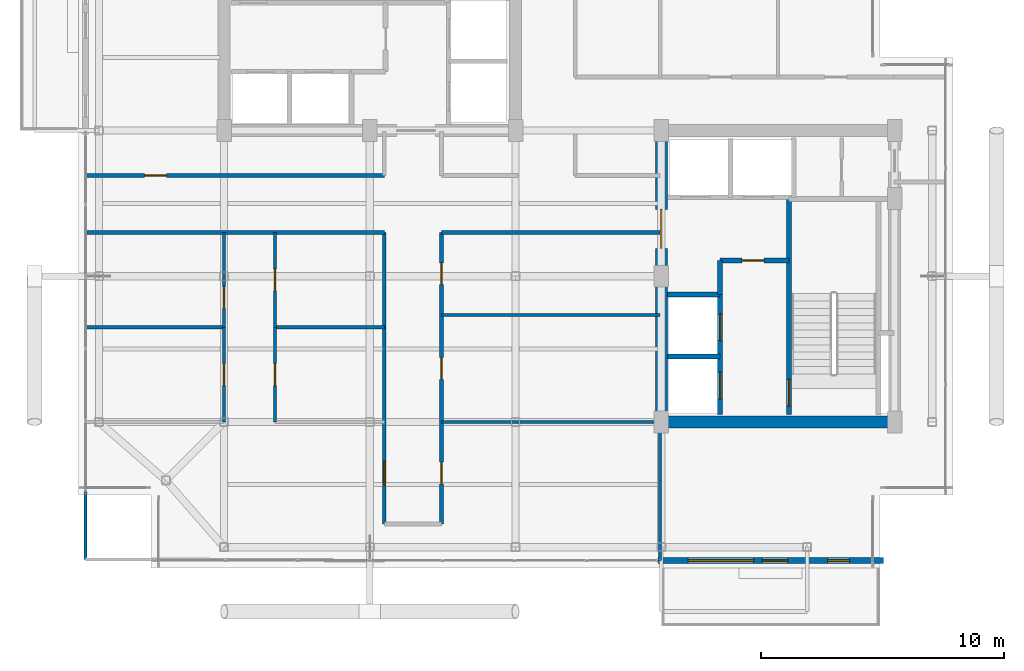
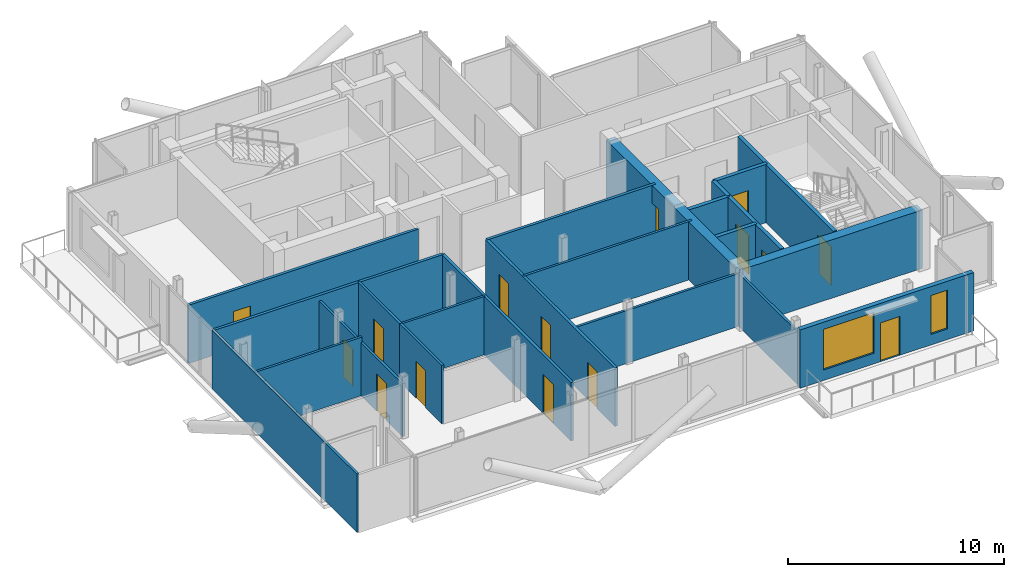
# One storey, part 14 of 18: 24 walls, 15 doors, 2 windows, 17 openings.
"""IFC4 building model written with IfcOpenShell, lengths in metres."""

from ifc_helpers import new_model, si_unit, direction, frame, frame_2d, origin, place, context, subcontext, project, spatial, rectangle, extrude, material, layer, layer_set, type_object, element, fill, save


model = new_model("IFC4")

# Units and contexts
model_context = context("Model", 3, precision=1e-05, world=origin(), true_north=direction((0.0, 1.0)))
body_context = subcontext(model_context, "Body", "Model", "MODEL_VIEW")
ifc_project = project(units=[si_unit("LENGTHUNIT", "METRE"), si_unit("AREAUNIT", "SQUARE_METRE"), si_unit("VOLUMEUNIT", "CUBIC_METRE"), si_unit("PLANEANGLEUNIT", "RADIAN"), si_unit("MASSUNIT", "GRAM", prefix="KILO"), si_unit("THERMODYNAMICTEMPERATUREUNIT", "KELVIN"), si_unit("POWERUNIT", "WATT")], contexts=[model_context])

# Site, building, storey
site_placement = place(None, origin())
site = spatial("IfcSite", under=ifc_project, at=site_placement, CompositionType="ELEMENT")
building_placement = place(site_placement, origin())
building = spatial("IfcBuilding", under=site, at=building_placement, Name="Svarakhadi Broadcast Tower", CompositionType="ELEMENT")
storey_placement = place(building_placement, frame((0.0, 0.0, 260.699951171875)))
storey = spatial("IfcBuildingStorey", under=building, at=storey_placement, Name="L65", CompositionType="ELEMENT", Elevation=260.699951171875)

# Wall, openings, door, windows
ifc_material_1 = material(Name="Concrete C40/50 (IS 456 M50)", Category="concrete")
ifc_layer_1 = layer(ifc_material_1, 0.239990234375)
ifc_layer_set_1 = layer_set([ifc_layer_1], Name="Concrete C40/50 (IS 456 M50)")
wall_type_1 = type_object("IfcWallType", Name="Wall_Ext_240", PredefinedType="SOLIDWALL", material=ifc_layer_set_1)
wall_1_placement = place(storey_placement, frame((33.14501953125, 0.300048828125, 0.0), z_axis=(0.0, 0.0, 1.0), x_axis=(-1.0, 0.0, 0.0)))
wall_1 = element("IfcWall", 1, at=wall_1_placement, inside=storey, type_object=wall_type_1, Name="L65 South Tree Balcony Spandrel Wall", PredefinedType="SOLIDWALL", context=body_context, shape_type="SweptSolid", body=[
    extrude(rectangle(XDim=9.2900390625, YDim=0.239990234375, at=frame_2d((4.64501953125, 0.0))), origin(), (0.0, 0.0, 1.0), 3.300048828125),
])
opening_1_placement = place(wall_1_placement, frame((3.945068359375, 0.0, 0.0)))
opening_1 = element("IfcOpeningElement", 2, at=opening_1_placement, cuts=wall_1, Name="Opening ED-05", PredefinedType="OPENING", context=body_context, shape_type="SweptSolid", body=[
    extrude(rectangle(XDim=1.050048828125, YDim=2.199951171875, at=frame_2d((0.52490234375, 1.10009765625))), frame((0.0, 0.1298828125, 0.0), z_axis=(0.0, -1.0, 0.0), x_axis=(1.0, 0.0, 0.0)), (0.0, 0.0, 1.0), 0.260009765625),
])
opening_2_placement = place(wall_1_placement, frame((5.344970703125, 0.0, 0.60009765625)))
opening_2 = element("IfcOpeningElement", 3, at=opening_2_placement, cuts=wall_1, Name="Opening WN-07", PredefinedType="OPENING", context=body_context, shape_type="SweptSolid", body=[
    extrude(rectangle(XDim=2.699951171875, YDim=2.300048828125, at=frame_2d((1.35009765625, 1.14990234375))), frame((0.0, 0.1298828125, 0.0), z_axis=(0.0, -1.0, 0.0), x_axis=(1.0, 0.0, 0.0)), (0.0, 0.0, 1.0), 0.260009765625),
])
opening_3_placement = place(wall_1_placement, frame((1.39990234375, 0.0, 0.60009765625)))
opening_3 = element("IfcOpeningElement", 4, at=opening_3_placement, cuts=wall_1, Name="Opening WN-04", PredefinedType="OPENING", context=body_context, shape_type="SweptSolid", body=[
    extrude(rectangle(XDim=0.89990234375, YDim=2.199951171875, at=frame_2d((0.449951171875, 1.10009765625))), frame((0.0, 0.1298828125, 0.0), z_axis=(0.0, -1.0, 0.0), x_axis=(1.0, 0.0, 0.0)), (0.0, 0.0, 1.0), 0.260009765625),
])
ifc_material_2 = material(Name="Anodised Bronze Aluminium AA 6063-T6", Category="aluminium")
door_type_1 = type_object("IfcDoorType", Name="Door_Ext_ED05", OperationType="SINGLE_SWING_LEFT", PredefinedType="DOOR", material=ifc_material_2)
door_1_placement = place(opening_1_placement, origin())
door_1 = element("IfcDoor", 5, at=door_1_placement, inside=storey, type_object=door_type_1, Name="L65 South Tree Balcony Door", OperationType="SINGLE_SWING_LEFT", OverallHeight=2.199951171875, OverallWidth=1.050048828125, PredefinedType="DOOR", context=body_context, shape_type="SweptSolid", body=[
    extrude(rectangle(XDim=1.050048828125, YDim=2.199951171875, at=frame_2d((0.52490234375, 1.10009765625))), frame((0.0, 0.02490234375, 0.0), z_axis=(0.0, -1.0, 0.0), x_axis=(1.0, 0.0, 0.0)), (0.0, 0.0, 1.0), 0.050048828125),
])
fill(opening_1, door_1)
ifc_material_3 = material(Name="Double Low-E Laminated Acoustic Glass IGU 36 mm", Category="glass")
window_type_1 = type_object("IfcWindowType", Name="Win_Resi_WN07", PartitioningType="SINGLE_PANEL", PredefinedType="WINDOW", material=ifc_material_3)
window_1_placement = place(opening_2_placement, origin())
window_1 = element("IfcWindow", 6, at=window_1_placement, inside=storey, type_object=window_type_1, Name="L65 South Tree Balcony Window", OverallHeight=2.300048828125, OverallWidth=2.699951171875, PartitioningType="SINGLE_PANEL", PredefinedType="WINDOW", context=body_context, shape_type="SweptSolid", body=[
    extrude(rectangle(XDim=2.699951171875, YDim=2.300048828125, at=frame_2d((1.35009765625, 1.14990234375))), frame((0.0, 0.030029296875, 0.0), z_axis=(0.0, -1.0, 0.0), x_axis=(1.0, 0.0, 0.0)), (0.0, 0.0, 1.0), 0.06005859375),
])
fill(opening_2, window_1)
window_type_2 = type_object("IfcWindowType", Name="Win_Slot_WN04", PartitioningType="SINGLE_PANEL", PredefinedType="WINDOW", material=ifc_material_3)
window_2_placement = place(opening_3_placement, origin())
window_2 = element("IfcWindow", 7, at=window_2_placement, inside=storey, type_object=window_type_2, Name="L65 South Primary Bedroom Slot Window", OverallHeight=2.199951171875, OverallWidth=0.89990234375, PartitioningType="SINGLE_PANEL", PredefinedType="WINDOW", context=body_context, shape_type="SweptSolid", body=[
    extrude(rectangle(XDim=0.89990234375, YDim=2.199951171875, at=frame_2d((0.449951171875, 1.10009765625))), frame((0.0, 0.030029296875, 0.0), z_axis=(0.0, -1.0, 0.0), x_axis=(1.0, 0.0, 0.0)), (0.0, 0.0, 1.0), 0.06005859375),
])
fill(opening_3, window_2)

# Walls
ifc_material_4 = material(Name="Fire-Rated Moisture-Resistant Gypsum Board Partition", Category="gypsum")
ifc_layer_2 = layer(ifc_material_4, 0.125)
ifc_layer_set_2 = layer_set([ifc_layer_2], Name="Fire-Rated Moisture-Resistant Gypsum Board Partition")
wall_type_2 = type_object("IfcWallType", Name="Wall_Part_125", PredefinedType="PARTITIONING", material=ifc_layer_set_2)
wall_2_placement = place(storey_placement, frame((0.300048828125, 0.35009765625, 0.0), z_axis=(0.0, 0.0, 1.0), x_axis=(0.0, 1.0, 0.0)))
element("IfcWall", 8, at=wall_2_placement, inside=storey, type_object=wall_type_2, Name="L65 Apartment A Wall", PredefinedType="PARTITIONING", context=body_context, shape_type="SweptSolid", body=[
    extrude(rectangle(XDim=13.449951171875, YDim=0.125, at=frame_2d((6.72509765625, 0.0))), origin(), (0.0, 0.0, 1.0), 3.300048828125),
])
wall_3_placement = place(storey_placement, frame((8.10009765625, 9.89990234375, 0.0), z_axis=(0.0, 0.0, 1.0), x_axis=(1.0, 0.0, 0.0)))
element("IfcWall", 9, at=wall_3_placement, inside=storey, type_object=wall_type_2, Name="L65 Apartment A Kitchen Wall", PredefinedType="PARTITIONING", context=body_context, shape_type="SweptSolid", body=[
    extrude(rectangle(XDim=4.5, YDim=0.125, at=frame_2d((2.25, 0.0))), origin(), (0.0, 0.0, 1.0), 3.300048828125),
])

# Wall, opening, door
wall_4_placement = place(storey_placement, frame((8.10009765625, 6.0, 0.0), z_axis=(0.0, 0.0, 1.0), x_axis=(0.0, 1.0, 0.0)))
wall_4 = element("IfcWall", 10, at=wall_4_placement, inside=storey, type_object=wall_type_2, Name="L65 Apartment A Kitchen Wall", PredefinedType="PARTITIONING", context=body_context, shape_type="SweptSolid", body=[
    extrude(rectangle(XDim=3.89990234375, YDim=0.125, at=frame_2d((1.949951171875, 0.0))), origin(), (0.0, 0.0, 1.0), 3.300048828125),
])
opening_4_placement = place(wall_4_placement, frame((1.5, 0.0, 0.0)))
opening_4 = element("IfcOpeningElement", 11, at=opening_4_placement, cuts=wall_4, Name="Opening D-14", PredefinedType="OPENING", context=body_context, shape_type="SweptSolid", body=[
    extrude(rectangle(XDim=0.89990234375, YDim=2.10009765625, at=frame_2d((0.449951171875, 1.050048828125))), frame((0.0, 0.072509765625, 0.0), z_axis=(0.0, -1.0, 0.0), x_axis=(1.0, 0.0, 0.0)), (0.0, 0.0, 1.0), 0.14501953125),
])
ifc_material_5 = material(Name="Solid-Core Teak Veneer Acoustic Timber Leaf", Category="wood")
door_type_2 = type_object("IfcDoorType", Name="Door_Int_D14", OperationType="SINGLE_SWING_LEFT", PredefinedType="DOOR", material=ifc_material_5)
door_2_placement = place(opening_4_placement, origin())
door_2 = element("IfcDoor", 12, at=door_2_placement, inside=storey, type_object=door_type_2, Name="L65 Apartment A Kitchen Door", OperationType="SINGLE_SWING_LEFT", OverallHeight=2.10009765625, OverallWidth=0.89990234375, PredefinedType="DOOR", context=body_context, shape_type="SweptSolid", body=[
    extrude(rectangle(XDim=0.89990234375, YDim=2.10009765625, at=frame_2d((0.449951171875, 1.050048828125))), frame((0.0, 0.02490234375, 0.0), z_axis=(0.0, -1.0, 0.0), x_axis=(1.0, 0.0, 0.0)), (0.0, 0.0, 1.0), 0.050048828125),
])
fill(opening_4, door_2)

wall_5_placement = place(storey_placement, frame((8.10009765625, 9.89990234375, 0.0), z_axis=(0.0, 0.0, 1.0), x_axis=(0.0, 1.0, 0.0)))
wall_5 = element("IfcWall", 13, at=wall_5_placement, inside=storey, type_object=wall_type_2, Name="L65 Apartment A Bathroom Wall", PredefinedType="PARTITIONING", context=body_context, shape_type="SweptSolid", body=[
    extrude(rectangle(XDim=3.900146484375, YDim=0.125, at=frame_2d((1.9501953125, 0.0))), origin(), (0.0, 0.0, 1.0), 3.300048828125),
])
opening_5_placement = place(wall_5_placement, frame((1.5, 0.0, 0.0)))
opening_5 = element("IfcOpeningElement", 14, at=opening_5_placement, cuts=wall_5, Name="Opening D-13", PredefinedType="OPENING", context=body_context, shape_type="SweptSolid", body=[
    extrude(rectangle(XDim=0.89990234375, YDim=2.10009765625, at=frame_2d((0.449951171875, 1.050048828125))), frame((0.0, 0.072509765625, 0.0), z_axis=(0.0, -1.0, 0.0), x_axis=(1.0, 0.0, 0.0)), (0.0, 0.0, 1.0), 0.14501953125),
])
door_type_3 = type_object("IfcDoorType", Name="Door_Closet_D13", OperationType="SINGLE_SWING_RIGHT", PredefinedType="DOOR", material=ifc_material_5)
door_3_placement = place(opening_5_placement, origin())
door_3 = element("IfcDoor", 15, at=door_3_placement, inside=storey, type_object=door_type_3, Name="L65 Apartment A Bathroom Door", OperationType="SINGLE_SWING_RIGHT", OverallHeight=2.10009765625, OverallWidth=0.89990234375, PredefinedType="DOOR", context=body_context, shape_type="SweptSolid", body=[
    extrude(rectangle(XDim=0.89990234375, YDim=2.10009765625, at=frame_2d((0.449951171875, 1.050048828125))), frame((0.0, 0.02490234375, 0.0), z_axis=(0.0, -1.0, 0.0), x_axis=(1.0, 0.0, 0.0)), (0.0, 0.0, 1.0), 0.050048828125),
])
fill(opening_5, door_3)

# Wall
wall_6_placement = place(storey_placement, frame((0.300048828125, 9.89990234375, 0.0), z_axis=(0.0, 0.0, 1.0), x_axis=(1.0, 0.0, 0.0)))
element("IfcWall", 16, at=wall_6_placement, inside=storey, type_object=wall_type_2, Name="L65 Apartment A Bedroom 1 Wall", PredefinedType="PARTITIONING", context=body_context, shape_type="SweptSolid", body=[
    extrude(rectangle(XDim=5.699951171875, YDim=0.125, at=frame_2d((2.85009765625, 0.0))), origin(), (0.0, 0.0, 1.0), 3.300048828125),
])

# Wall, opening, door
wall_7_placement = place(storey_placement, frame((6.0, 6.0, 0.0), z_axis=(0.0, 0.0, 1.0), x_axis=(0.0, 1.0, 0.0)))
wall_7 = element("IfcWall", 17, at=wall_7_placement, inside=storey, type_object=wall_type_2, Name="L65 Apartment A Bedroom 1 Wall", PredefinedType="PARTITIONING", context=body_context, shape_type="SweptSolid", body=[
    extrude(rectangle(XDim=3.89990234375, YDim=0.125, at=frame_2d((1.949951171875, 0.0))), origin(), (0.0, 0.0, 1.0), 2.991943359375),
])
opening_6_placement = place(wall_7_placement, frame((1.5, 0.0, 0.0)))
opening_6 = element("IfcOpeningElement", 18, at=opening_6_placement, cuts=wall_7, Name="Opening D-14", PredefinedType="OPENING", context=body_context, shape_type="SweptSolid", body=[
    extrude(rectangle(XDim=0.89990234375, YDim=2.10009765625, at=frame_2d((0.449951171875, 1.050048828125))), frame((0.0, 0.072509765625, 0.0), z_axis=(0.0, -1.0, 0.0), x_axis=(1.0, 0.0, 0.0)), (0.0, 0.0, 1.0), 0.14501953125),
])
door_4_placement = place(opening_6_placement, origin())
door_4 = element("IfcDoor", 19, at=door_4_placement, inside=storey, type_object=door_type_2, Name="L65 Apartment A Bedroom 1 Door", OperationType="SINGLE_SWING_LEFT", OverallHeight=2.10009765625, OverallWidth=0.89990234375, PredefinedType="DOOR", context=body_context, shape_type="SweptSolid", body=[
    extrude(rectangle(XDim=0.89990234375, YDim=2.10009765625, at=frame_2d((0.449951171875, 1.050048828125))), frame((0.0, 0.02490234375, 0.0), z_axis=(0.0, -1.0, 0.0), x_axis=(1.0, 0.0, 0.0)), (0.0, 0.0, 1.0), 0.050048828125),
])
fill(opening_6, door_4)

wall_8_placement = place(storey_placement, frame((6.0, 9.89990234375, 0.0), z_axis=(0.0, 0.0, 1.0), x_axis=(0.0, 1.0, 0.0)))
wall_8 = element("IfcWall", 20, at=wall_8_placement, inside=storey, type_object=wall_type_2, Name="L65 Apartment A Bedroom 2 Wall", PredefinedType="PARTITIONING", context=body_context, shape_type="SweptSolid", body=[
    extrude(rectangle(XDim=3.900146484375, YDim=0.125, at=frame_2d((1.9501953125, 0.0))), origin(), (0.0, 0.0, 1.0), 2.991943359375),
])
opening_7_placement = place(wall_8_placement, frame((0.780029296875, 0.0, 0.0)))
opening_7 = element("IfcOpeningElement", 21, at=opening_7_placement, cuts=wall_8, Name="Opening D-14", PredefinedType="OPENING", context=body_context, shape_type="SweptSolid", body=[
    extrude(rectangle(XDim=0.89990234375, YDim=2.10009765625, at=frame_2d((0.449951171875, 1.050048828125))), frame((0.0, 0.072509765625, 0.0), z_axis=(0.0, -1.0, 0.0), x_axis=(1.0, 0.0, 0.0)), (0.0, 0.0, 1.0), 0.14501953125),
])
door_5_placement = place(opening_7_placement, origin())
door_5 = element("IfcDoor", 22, at=door_5_placement, inside=storey, type_object=door_type_2, Name="L65 Apartment A Bedroom 2 Door", OperationType="SINGLE_SWING_LEFT", OverallHeight=2.10009765625, OverallWidth=0.89990234375, PredefinedType="DOOR", context=body_context, shape_type="SweptSolid", body=[
    extrude(rectangle(XDim=0.89990234375, YDim=2.10009765625, at=frame_2d((0.449951171875, 1.050048828125))), frame((0.0, 0.02490234375, 0.0), z_axis=(0.0, -1.0, 0.0), x_axis=(1.0, 0.0, 0.0)), (0.0, 0.0, 1.0), 0.050048828125),
])
fill(opening_7, door_5)

# Walls
wall_9_placement = place(storey_placement, frame((14.949951171875, 6.0, 0.0), z_axis=(0.0, 0.0, 1.0), x_axis=(1.0, 0.0, 0.0)))
element("IfcWall", 23, at=wall_9_placement, inside=storey, type_object=wall_type_2, Name="L65 Sky Residents Fitness Gym Wall", PredefinedType="PARTITIONING", context=body_context, shape_type="SweptSolid", body=[
    extrude(rectangle(XDim=9.0, YDim=0.125, at=frame_2d((4.5, 0.0))), origin(), (0.0, 0.0, 1.0), 2.991943359375),
])
wall_10_placement = place(storey_placement, frame((23.949951171875, 0.300048828125, 0.0), z_axis=(0.0, 0.0, 1.0), x_axis=(0.0, 1.0, 0.0)))
element("IfcWall", 24, at=wall_10_placement, inside=storey, type_object=wall_type_2, Name="L65 Sky Residents Fitness Gym Wall", PredefinedType="PARTITIONING", context=body_context, shape_type="SweptSolid", body=[
    extrude(rectangle(XDim=5.699951171875, YDim=0.125, at=frame_2d((2.85009765625, 0.0))), origin(), (0.0, 0.0, 1.0), 2.991943359375),
])
wall_11_placement = place(storey_placement, frame((14.949951171875, 10.39990234375, 0.0), z_axis=(0.0, 0.0, 1.0), x_axis=(1.0, 0.0, 0.0)))
element("IfcWall", 25, at=wall_11_placement, inside=storey, type_object=wall_type_2, Name="L65 Private Cinema Screening Room Wall", PredefinedType="PARTITIONING", context=body_context, shape_type="SweptSolid", body=[
    extrude(rectangle(XDim=9.0, YDim=0.125, at=frame_2d((4.5, 0.0))), origin(), (0.0, 0.0, 1.0), 3.300048828125),
])

# Wall, opening, door
ifc_material_6 = material(Name="Autoclaved Aerated Concrete Blockwork 150 mm", Category="masonry")
ifc_layer_3 = layer(ifc_material_6, 0.14990234375)
ifc_layer_set_3 = layer_set([ifc_layer_3], Name="Autoclaved Aerated Concrete Blockwork 150 mm")
wall_type_3 = type_object("IfcWallType", Name="Wall_Part_150", PredefinedType="PARTITIONING", material=ifc_layer_set_3)
wall_12_placement = place(storey_placement, frame((12.60009765625, 1.800048828125, 0.0), z_axis=(0.0, 0.0, 1.0), x_axis=(0.0, 1.0, 0.0)))
wall_12 = element("IfcWall", 26, at=wall_12_placement, inside=storey, type_object=wall_type_3, Name="L65 Upper Tower Concourse Wall", PredefinedType="PARTITIONING", context=body_context, shape_type="SweptSolid", body=[
    extrude(rectangle(XDim=12.0, YDim=0.14990234375, at=frame_2d((6.0, 0.0))), origin(), (0.0, 0.0, 1.0), 3.300048828125),
])
opening_8_placement = place(wall_12_placement, frame((1.60009765625, 0.0, 0.0)))
opening_8 = element("IfcOpeningElement", 27, at=opening_8_placement, cuts=wall_12, Name="Opening D-08", PredefinedType="OPENING", context=body_context, shape_type="SweptSolid", body=[
    extrude(rectangle(XDim=1.0, YDim=2.199951171875, at=frame_2d((0.5, 1.10009765625))), frame((0.0, 0.0849609375, 0.0), z_axis=(0.0, -1.0, 0.0), x_axis=(1.0, 0.0, 0.0)), (0.0, 0.0, 1.0), 0.169921875),
])
door_type_4 = type_object("IfcDoorType", Name="Door_Suite_D08", OperationType="SINGLE_SWING_LEFT", PredefinedType="DOOR", material=ifc_material_5)
door_6_placement = place(opening_8_placement, origin())
door_6 = element("IfcDoor", 28, at=door_6_placement, inside=storey, type_object=door_type_4, Name="L65 Apartment A Entrance Door", OperationType="SINGLE_SWING_LEFT", OverallHeight=2.199951171875, OverallWidth=1.0, PredefinedType="DOOR", context=body_context, shape_type="SweptSolid", body=[
    extrude(rectangle(XDim=1.0, YDim=2.199951171875, at=frame_2d((0.5, 1.10009765625))), frame((0.0, 0.02490234375, 0.0), z_axis=(0.0, -1.0, 0.0), x_axis=(1.0, 0.0, 0.0)), (0.0, 0.0, 1.0), 0.050048828125),
])
fill(opening_8, door_6)

# Wall
wall_13_placement = place(storey_placement, frame((12.60009765625, 13.800048828125, 0.0), z_axis=(0.0, 0.0, 1.0), x_axis=(-1.0, 0.0, 0.0)))
element("IfcWall", 29, at=wall_13_placement, inside=storey, type_object=wall_type_3, Name="L65 Upper Tower Concourse Wall", PredefinedType="PARTITIONING", context=body_context, shape_type="SweptSolid", body=[
    extrude(rectangle(XDim=12.300048828125, YDim=0.14990234375, at=frame_2d((6.14990234375, 0.0))), origin(), (0.0, 0.0, 1.0), 3.300048828125),
])

# Wall, opening, door
wall_14_placement = place(storey_placement, frame((0.300048828125, 16.14990234375, 0.0), z_axis=(0.0, 0.0, 1.0), x_axis=(1.0, 0.0, 0.0)))
wall_14 = element("IfcWall", 30, at=wall_14_placement, inside=storey, type_object=wall_type_3, Name="L65 Upper Tower Concourse Wall", PredefinedType="PARTITIONING", context=body_context, shape_type="SweptSolid", body=[
    extrude(rectangle(XDim=12.300048828125, YDim=0.14990234375, at=frame_2d((6.14990234375, 0.0))), origin(), (0.0, 0.0, 1.0), 3.300048828125),
])
opening_9_placement = place(wall_14_placement, frame((2.425048828125, 0.0, 0.0)))
opening_9 = element("IfcOpeningElement", 31, at=opening_9_placement, cuts=wall_14, Name="Opening D-15", PredefinedType="OPENING", context=body_context, shape_type="SweptSolid", body=[
    extrude(rectangle(XDim=0.89990234375, YDim=2.10009765625, at=frame_2d((0.449951171875, 1.050048828125))), frame((0.0, 0.0849609375, 0.0), z_axis=(0.0, -1.0, 0.0), x_axis=(1.0, 0.0, 0.0)), (0.0, 0.0, 1.0), 0.169921875),
])
door_type_5 = type_object("IfcDoorType", Name="Door_Int_D15", OperationType="SINGLE_SWING_RIGHT", PredefinedType="DOOR", material=ifc_material_5)
door_7_placement = place(opening_9_placement, origin())
door_7 = element("IfcDoor", 32, at=door_7_placement, inside=storey, type_object=door_type_5, Name="L65 Harbour Yoga and Meditation Salon Door", OperationType="SINGLE_SWING_RIGHT", OverallHeight=2.10009765625, OverallWidth=0.89990234375, PredefinedType="DOOR", context=body_context, shape_type="SweptSolid", body=[
    extrude(rectangle(XDim=0.89990234375, YDim=2.10009765625, at=frame_2d((0.449951171875, 1.050048828125))), frame((0.0, 0.02490234375, 0.0), z_axis=(0.0, -1.0, 0.0), x_axis=(1.0, 0.0, 0.0)), (0.0, 0.0, 1.0), 0.050048828125),
])
fill(opening_9, door_7)

# Wall
wall_15_placement = place(storey_placement, frame((23.949951171875, 13.800048828125, 0.0), z_axis=(0.0, 0.0, 1.0), x_axis=(-1.0, 0.0, 0.0)))
element("IfcWall", 33, at=wall_15_placement, inside=storey, type_object=wall_type_3, Name="L65 Upper Tower Concourse Wall", PredefinedType="PARTITIONING", context=body_context, shape_type="SweptSolid", body=[
    extrude(rectangle(XDim=9.0, YDim=0.14990234375, at=frame_2d((4.5, 0.0))), origin(), (0.0, 0.0, 1.0), 3.300048828125),
])

# Wall, openings, doors
wall_16_placement = place(storey_placement, frame((14.949951171875, 13.800048828125, 0.0), z_axis=(0.0, 0.0, 1.0), x_axis=(0.0, -1.0, 0.0)))
wall_16 = element("IfcWall", 34, at=wall_16_placement, inside=storey, type_object=wall_type_3, Name="L65 Upper Tower Concourse Wall", PredefinedType="PARTITIONING", context=body_context, shape_type="SweptSolid", body=[
    extrude(rectangle(XDim=12.0, YDim=0.14990234375, at=frame_2d((6.0, 0.0))), origin(), (0.0, 0.0, 1.0), 3.300048828125),
])
opening_10_placement = place(wall_16_placement, frame((9.449951171875, 0.0, 0.0)))
opening_10 = element("IfcOpeningElement", 35, at=opening_10_placement, cuts=wall_16, Name="Opening D-15", PredefinedType="OPENING", context=body_context, shape_type="SweptSolid", body=[
    extrude(rectangle(XDim=0.89990234375, YDim=2.10009765625, at=frame_2d((0.449951171875, 1.050048828125))), frame((0.0, 0.0849609375, 0.0), z_axis=(0.0, -1.0, 0.0), x_axis=(1.0, 0.0, 0.0)), (0.0, 0.0, 1.0), 0.169921875),
])
opening_11_placement = place(wall_16_placement, frame((5.14990234375, 0.0, 0.0)))
opening_11 = element("IfcOpeningElement", 36, at=opening_11_placement, cuts=wall_16, Name="Opening D-14", PredefinedType="OPENING", context=body_context, shape_type="SweptSolid", body=[
    extrude(rectangle(XDim=0.89990234375, YDim=2.10009765625, at=frame_2d((0.449951171875, 1.050048828125))), frame((0.0, 0.0849609375, 0.0), z_axis=(0.0, -1.0, 0.0), x_axis=(1.0, 0.0, 0.0)), (0.0, 0.0, 1.0), 0.169921875),
])
opening_12_placement = place(wall_16_placement, frame((1.25, 0.0, 0.0)))
opening_12 = element("IfcOpeningElement", 37, at=opening_12_placement, cuts=wall_16, Name="Opening D-15", PredefinedType="OPENING", context=body_context, shape_type="SweptSolid", body=[
    extrude(rectangle(XDim=0.89990234375, YDim=2.10009765625, at=frame_2d((0.449951171875, 1.050048828125))), frame((0.0, 0.0849609375, 0.0), z_axis=(0.0, -1.0, 0.0), x_axis=(1.0, 0.0, 0.0)), (0.0, 0.0, 1.0), 0.169921875),
])
door_8_placement = place(opening_11_placement, origin())
door_8 = element("IfcDoor", 38, at=door_8_placement, inside=storey, type_object=door_type_2, Name="L65 Private Cinema Screening Room Door", OperationType="SINGLE_SWING_LEFT", OverallHeight=2.10009765625, OverallWidth=0.89990234375, PredefinedType="DOOR", context=body_context, shape_type="SweptSolid", body=[
    extrude(rectangle(XDim=0.89990234375, YDim=2.10009765625, at=frame_2d((0.449951171875, 1.050048828125))), frame((0.0, 0.02490234375, 0.0), z_axis=(0.0, -1.0, 0.0), x_axis=(1.0, 0.0, 0.0)), (0.0, 0.0, 1.0), 0.050048828125),
])
fill(opening_11, door_8)
door_9_placement = place(opening_10_placement, origin())
door_9 = element("IfcDoor", 39, at=door_9_placement, inside=storey, type_object=door_type_5, Name="L65 Sky Residents Fitness Gym Door", OperationType="SINGLE_SWING_RIGHT", OverallHeight=2.10009765625, OverallWidth=0.89990234375, PredefinedType="DOOR", context=body_context, shape_type="SweptSolid", body=[
    extrude(rectangle(XDim=0.89990234375, YDim=2.10009765625, at=frame_2d((0.449951171875, 1.050048828125))), frame((0.0, 0.02490234375, 0.0), z_axis=(0.0, -1.0, 0.0), x_axis=(1.0, 0.0, 0.0)), (0.0, 0.0, 1.0), 0.050048828125),
])
fill(opening_10, door_9)
door_10_placement = place(opening_12_placement, origin())
door_10 = element("IfcDoor", 40, at=door_10_placement, inside=storey, type_object=door_type_5, Name="L65 Executive Co-Working Office Door", OperationType="SINGLE_SWING_RIGHT", OverallHeight=2.10009765625, OverallWidth=0.89990234375, PredefinedType="DOOR", context=body_context, shape_type="SweptSolid", body=[
    extrude(rectangle(XDim=0.89990234375, YDim=2.10009765625, at=frame_2d((0.449951171875, 1.050048828125))), frame((0.0, 0.02490234375, 0.0), z_axis=(0.0, -1.0, 0.0), x_axis=(1.0, 0.0, 0.0)), (0.0, 0.0, 1.0), 0.050048828125),
])
fill(opening_12, door_10)

# Wall, opening, door
ifc_material_7 = material(Name="Concrete C50/60 (IS 456 M60)", Category="concrete")
ifc_layer_4 = layer(ifc_material_7, 0.199951171875)
ifc_layer_set_4 = layer_set([ifc_layer_4], Name="Concrete C50/60 (IS 456 M60)")
wall_type_4 = type_object("IfcWallType", Name="Wall_Shear_200", PredefinedType="SHEAR", material=ifc_layer_set_4)
wall_17_placement = place(storey_placement, frame((29.260009765625, 6.300048828125, 0.0), z_axis=(0.0, 0.0, 1.0), x_axis=(0.0, 1.0, 0.0)))
wall_17 = element("IfcWall", 41, at=wall_17_placement, inside=storey, type_object=wall_type_4, Name="L65 Stair ST-02 West RC Shaft Wall", PredefinedType="SHEAR", context=body_context, shape_type="SweptSolid", body=[
    extrude(rectangle(XDim=8.8798828125, YDim=0.199951171875, at=frame_2d((4.43994140625, 0.0))), origin(), (0.0, 0.0, 1.0), 3.300048828125),
])
opening_13_placement = place(wall_17_placement, frame((0.35009765625, 0.0, 0.0)))
opening_13 = element("IfcOpeningElement", 42, at=opening_13_placement, cuts=wall_17, Name="Opening D-02", PredefinedType="OPENING", context=body_context, shape_type="SweptSolid", body=[
    extrude(rectangle(XDim=1.10009765625, YDim=2.199951171875, at=frame_2d((0.550048828125, 1.10009765625))), frame((0.0, 0.10986328125, 0.0), z_axis=(0.0, -1.0, 0.0), x_axis=(1.0, 0.0, 0.0)), (0.0, 0.0, 1.0), 0.219970703125),
])
ifc_material_8 = material(Name="Galvanised Powder-Coated Fire-Rated Steel Leaf", Category="steel")
door_type_6 = type_object("IfcDoorType", Name="Door_Stair_D02", OperationType="SINGLE_SWING_RIGHT", PredefinedType="DOOR", material=ifc_material_8)
door_11_placement = place(opening_13_placement, origin())
door_11 = element("IfcDoor", 43, at=door_11_placement, inside=storey, type_object=door_type_6, Name="L65 Protected Exit Stair ST-02 Fire Door", OperationType="SINGLE_SWING_RIGHT", OverallHeight=2.199951171875, OverallWidth=1.10009765625, PredefinedType="DOOR", context=body_context, shape_type="SweptSolid", body=[
    extrude(rectangle(XDim=1.10009765625, YDim=2.199951171875, at=frame_2d((0.550048828125, 1.10009765625))), frame((0.0, 0.02490234375, 0.0), z_axis=(0.0, -1.0, 0.0), x_axis=(1.0, 0.0, 0.0)), (0.0, 0.0, 1.0), 0.050048828125),
])
fill(opening_13, door_11)

# Wall, openings, doors
wall_18_placement = place(storey_placement, frame((26.419921875, 6.300048828125, 0.0), z_axis=(0.0, 0.0, 1.0), x_axis=(0.0, 1.0, 0.0)))
wall_18 = element("IfcWall", 44, at=wall_18_placement, inside=storey, type_object=wall_type_4, Name="L65 Firefighting Lift LF-03/04 Shaft Wall", PredefinedType="SHEAR", context=body_context, shape_type="SweptSolid", body=[
    extrude(rectangle(XDim=4.949951171875, YDim=0.199951171875, at=frame_2d((2.47509765625, 0.0))), origin(), (0.0, 0.0, 1.0), 3.300048828125),
])
opening_14_placement = place(wall_18_placement, frame((0.64990234375, 0.0, 0.0)))
opening_14 = element("IfcOpeningElement", 45, at=opening_14_placement, cuts=wall_18, Name="Opening LD-01", PredefinedType="OPENING", context=body_context, shape_type="SweptSolid", body=[
    extrude(rectangle(XDim=1.10009765625, YDim=2.199951171875, at=frame_2d((0.550048828125, 1.10009765625))), frame((0.0, 0.10986328125, 0.0), z_axis=(0.0, -1.0, 0.0), x_axis=(1.0, 0.0, 0.0)), (0.0, 0.0, 1.0), 0.219970703125),
])
opening_15_placement = place(wall_18_placement, frame((3.050048828125, 0.0, 0.0)))
opening_15 = element("IfcOpeningElement", 46, at=opening_15_placement, cuts=wall_18, Name="Opening LD-01", PredefinedType="OPENING", context=body_context, shape_type="SweptSolid", body=[
    extrude(rectangle(XDim=1.10009765625, YDim=2.199951171875, at=frame_2d((0.550048828125, 1.10009765625))), frame((0.0, 0.10986328125, 0.0), z_axis=(0.0, -1.0, 0.0), x_axis=(1.0, 0.0, 0.0)), (0.0, 0.0, 1.0), 0.219970703125),
])
door_type_7 = type_object("IfcDoorType", Name="Door_Lift_LD01", OperationType="SLIDING_TO_LEFT", PredefinedType="DOOR", material=ifc_material_8)
door_12_placement = place(opening_14_placement, origin())
door_12 = element("IfcDoor", 47, at=door_12_placement, inside=storey, type_object=door_type_7, Name="L65 Firefighting Lift LF-03 Landing Door", OperationType="SLIDING_TO_LEFT", OverallHeight=2.199951171875, OverallWidth=1.10009765625, PredefinedType="DOOR", context=body_context, shape_type="SweptSolid", body=[
    extrude(rectangle(XDim=1.10009765625, YDim=2.199951171875, at=frame_2d((0.550048828125, 1.10009765625))), frame((0.0, 0.02490234375, 0.0), z_axis=(0.0, -1.0, 0.0), x_axis=(1.0, 0.0, 0.0)), (0.0, 0.0, 1.0), 0.050048828125),
])
fill(opening_14, door_12)
door_13_placement = place(opening_15_placement, origin())
door_13 = element("IfcDoor", 48, at=door_13_placement, inside=storey, type_object=door_type_7, Name="L65 Firefighting Lift LF-04 Landing Door", OperationType="SLIDING_TO_LEFT", OverallHeight=2.199951171875, OverallWidth=1.10009765625, PredefinedType="DOOR", context=body_context, shape_type="SweptSolid", body=[
    extrude(rectangle(XDim=1.10009765625, YDim=2.199951171875, at=frame_2d((0.550048828125, 1.10009765625))), frame((0.0, 0.02490234375, 0.0), z_axis=(0.0, -1.0, 0.0), x_axis=(1.0, 0.0, 0.0)), (0.0, 0.0, 1.0), 0.050048828125),
])
fill(opening_15, door_13)

# Walls
for number, where, z_axis, x_axis, name in (
    (49, (24.25, 8.699951171875, 0.0), (0.0, 0.0, 1.0), (1.0, 0.0, 0.0), "L65 Firefighting Lift LF-03/04 Divider Wall"),
    (50, (24.25, 11.25, 0.0), (0.0, 0.0, 1.0), (1.0, 0.0, 0.0), "L65 Firefighting Lift LF-04 North Wall"),
):
    element("IfcWall", number, at=place(storey_placement, frame(where, z_axis=z_axis, x_axis=x_axis)), inside=storey, type_object=wall_type_4, Name=name, PredefinedType="SHEAR", context=body_context, shape_type="SweptSolid", body=[
        extrude(rectangle(XDim=2.169921875, YDim=0.199951171875, at=frame_2d((1.0849609375, 0.0))), origin(), (0.0, 0.0, 1.0), 3.300048828125),
    ])
wall_19_placement = place(storey_placement, frame((26.419921875, 11.25, 0.0), z_axis=(0.0, 0.0, 1.0), x_axis=(0.0, 1.0, 0.0)))
element("IfcWall", 51, at=wall_19_placement, inside=storey, type_object=wall_type_4, Name="L65 East Firefighting Lobby West Wall", PredefinedType="SHEAR", context=body_context, shape_type="SweptSolid", body=[
    extrude(rectangle(XDim=1.39990234375, YDim=0.199951171875, at=frame_2d((0.699951171875, 0.0))), origin(), (0.0, 0.0, 1.0), 3.300048828125),
])

# Wall, opening, door
wall_20_placement = place(storey_placement, frame((26.419921875, 12.64990234375, 0.0), z_axis=(0.0, 0.0, 1.0), x_axis=(1.0, 0.0, 0.0)))
wall_20 = element("IfcWall", 52, at=wall_20_placement, inside=storey, type_object=wall_type_4, Name="L65 East Firefighting Lobby North Wall", PredefinedType="SHEAR", context=body_context, shape_type="SweptSolid", body=[
    extrude(rectangle(XDim=2.840087890625, YDim=0.199951171875, at=frame_2d((1.419921875, 0.0))), origin(), (0.0, 0.0, 1.0), 3.300048828125),
])
opening_16_placement = place(wall_20_placement, frame((0.89990234375, 0.0, 0.0)))
opening_16 = element("IfcOpeningElement", 53, at=opening_16_placement, cuts=wall_20, Name="Opening D-03", PredefinedType="OPENING", context=body_context, shape_type="SweptSolid", body=[
    extrude(rectangle(XDim=0.89990234375, YDim=2.14990234375, at=frame_2d((0.449951171875, 1.074951171875))), frame((0.0, 0.10986328125, 0.0), z_axis=(0.0, -1.0, 0.0), x_axis=(1.0, 0.0, 0.0)), (0.0, 0.0, 1.0), 0.219970703125),
])
door_type_8 = type_object("IfcDoorType", Name="Door_Fire_D03", OperationType="SINGLE_SWING_LEFT", PredefinedType="DOOR", material=ifc_material_8)
door_14_placement = place(opening_16_placement, origin())
door_14 = element("IfcDoor", 54, at=door_14_placement, inside=storey, type_object=door_type_8, Name="L65 East Firefighting Lobby Fire Door", OperationType="SINGLE_SWING_LEFT", OverallHeight=2.14990234375, OverallWidth=0.89990234375, PredefinedType="DOOR", context=body_context, shape_type="SweptSolid", body=[
    extrude(rectangle(XDim=0.89990234375, YDim=2.14990234375, at=frame_2d((0.449951171875, 1.074951171875))), frame((0.0, 0.02490234375, 0.0), z_axis=(0.0, -1.0, 0.0), x_axis=(1.0, 0.0, 0.0)), (0.0, 0.0, 1.0), 0.050048828125),
])
fill(opening_16, door_14)

# Wall
ifc_layer_5 = layer(ifc_material_7, 0.5)
ifc_layer_set_5 = layer_set([ifc_layer_5], Name="Concrete C50/60 (IS 456 M60)")
wall_type_5 = type_object("IfcWallType", Name="Wall_Shear_500", PredefinedType="SHEAR", material=ifc_layer_set_5)
wall_21_placement = place(storey_placement, frame((24.0, 6.0, 0.0), z_axis=(0.0, 0.0, 1.0), x_axis=(1.0, 0.0, 0.0)))
element("IfcWall", 55, at=wall_21_placement, inside=storey, type_object=wall_type_5, Name="L65 East Core South Shear Wall", PredefinedType="SHEAR", context=body_context, shape_type="SweptSolid", body=[
    extrude(rectangle(XDim=9.60009765625, YDim=0.5, at=frame_2d((4.800048828125, 0.0))), origin(), (0.0, 0.0, 1.0), 3.300048828125),
])

# Wall, opening, door
wall_22_placement = place(storey_placement, frame((24.0, 6.0, 0.0), z_axis=(0.0, 0.0, 1.0), x_axis=(0.0, 1.0, 0.0)))
wall_22 = element("IfcWall", 56, at=wall_22_placement, inside=storey, type_object=wall_type_5, Name="L65 East Core West Shear Wall", PredefinedType="SHEAR", context=body_context, shape_type="SweptSolid", body=[
    extrude(rectangle(XDim=12.0, YDim=0.5, at=frame_2d((6.0, 0.0))), origin(), (0.0, 0.0, 1.0), 3.300048828125),
])
opening_17_placement = place(wall_22_placement, frame((7.14990234375, 0.0, 0.0)))
opening_17 = element("IfcOpeningElement", 57, at=opening_17_placement, cuts=wall_22, Name="Opening D-05", PredefinedType="OPENING", context=body_context, shape_type="SweptSolid", body=[
    extrude(rectangle(XDim=1.60009765625, YDim=2.300048828125, at=frame_2d((0.800048828125, 1.14990234375))), frame((0.0, 0.260009765625, 0.0), z_axis=(0.0, -1.0, 0.0), x_axis=(1.0, 0.0, 0.0)), (0.0, 0.0, 1.0), 0.52001953125),
])
door_type_9 = type_object("IfcDoorType", Name="Door_Lobby_D05", OperationType="DOUBLE_DOOR_SLIDING", PredefinedType="DOOR", material=ifc_material_2)
door_15_placement = place(opening_17_placement, origin())
door_15 = element("IfcDoor", 58, at=door_15_placement, inside=storey, type_object=door_type_9, Name="L65 East Core Passenger Lift Lobby Entrance Door", OperationType="DOUBLE_DOOR_SLIDING", OverallHeight=2.300048828125, OverallWidth=1.60009765625, PredefinedType="DOOR", context=body_context, shape_type="SweptSolid", body=[
    extrude(rectangle(XDim=1.60009765625, YDim=2.300048828125, at=frame_2d((0.800048828125, 1.14990234375))), frame((0.0, 0.02490234375, 0.0), z_axis=(0.0, -1.0, 0.0), x_axis=(1.0, 0.0, 0.0)), (0.0, 0.0, 1.0), 0.050048828125),
])
fill(opening_17, door_15)

save(model, "model.ifc")
